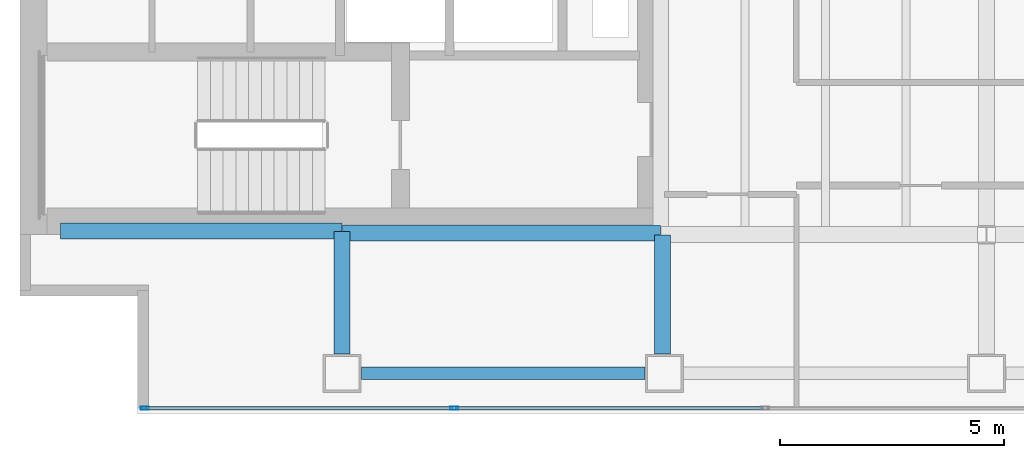
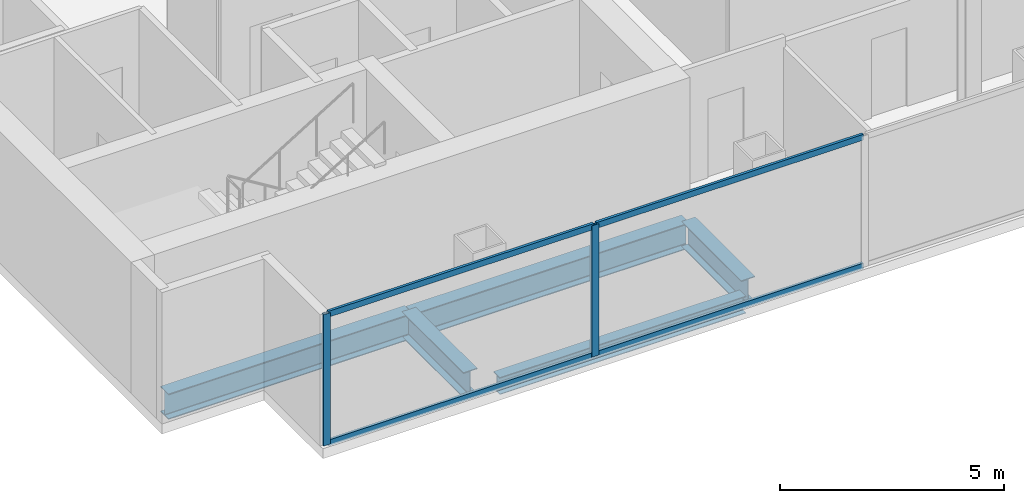
# One storey, part 2 of 23: 6 members, 5 beams, 1 element without a shape of its own.
"""IFC4 building model written with IfcOpenShell, lengths in metres."""

from ifc_helpers import new_model, si_unit, direction, frame, origin, origin_2d, place, context, subcontext, project, spatial, hollow_rectangle, i_section, extrude, material, material_profile, profile_set, type_object, element, aggregate, save


model = new_model("IFC4")

# Units and contexts
model_context = context("Model", 3, precision=1e-05, world=origin(), true_north=direction((0.0, 1.0)))
body_context = subcontext(model_context, "Body", "Model", "MODEL_VIEW")
ifc_project = project(units=[si_unit("LENGTHUNIT", "METRE"), si_unit("AREAUNIT", "SQUARE_METRE"), si_unit("VOLUMEUNIT", "CUBIC_METRE"), si_unit("PLANEANGLEUNIT", "RADIAN"), si_unit("MASSUNIT", "GRAM", prefix="KILO")], contexts=[model_context])

# Site, building, storey
site_placement = place(None, origin())
site = spatial("IfcSite", under=ifc_project, at=site_placement, CompositionType="ELEMENT")
building_placement = place(site_placement, origin())
building = spatial("IfcBuilding", under=site, at=building_placement, Name="Cobrela Telecom Tower", CompositionType="ELEMENT")
storey_placement = place(building_placement, frame((0.0, 0.0, 156.10009765625)))
storey = spatial("IfcBuildingStorey", under=building, at=storey_placement, Name="L39", CompositionType="ELEMENT", Elevation=156.10009765625)

# Beams
ifc_material_1 = material(Name="Steel ASTM A992 Grade 50", Category="steel")
ifc_material_profile_1 = material_profile(ifc_material_1, i_section(OverallWidth=0.35595703125, OverallDepth=0.696044921875, WebThickness=0.015380859375, FlangeThickness=0.024658203125, FilletRadius=0.01806640625, at=origin_2d()), Name="W27X146")
ifc_profile_set_1 = profile_set([ifc_material_profile_1], Name="Steel ASTM A992 Grade 50")
beam_type_1 = type_object("IfcBeamType", Name="BM-GIRD-05", PredefinedType="USERDEFINED", material=ifc_profile_set_1)
beam_1_placement = place(storey_placement, frame((0.905029296875, 7.280029296875, -0.6181640625), z_axis=(1.0, 0.0, 0.0), x_axis=(0.0, 1.0, 0.0)))
element("IfcBeam", 1, at=beam_1_placement, inside=storey, type_object=beam_type_1, Name="L39 Primary Girder X06", ObjectType="GIRDER", PredefinedType="USERDEFINED", context=body_context, shape_type="SweptSolid", body=[
    extrude(i_section(OverallWidth=0.35595703125, OverallDepth=0.696044921875, WebThickness=0.015380859375, FlangeThickness=0.024658203125, FilletRadius=0.01806640625, at=origin_2d()), origin(), (0.0, 0.0, 1.0), 6.2900390625),
])
beam_2_placement = place(storey_placement, frame((7.205078125, 7.239990234375, -0.6181640625), z_axis=(1.0, 0.0, 0.0), x_axis=(0.0, 1.0, 0.0)))
element("IfcBeam", 2, at=beam_2_placement, inside=storey, type_object=beam_type_1, Name="L39 Primary Girder X07", ObjectType="GIRDER", PredefinedType="USERDEFINED", context=body_context, shape_type="SweptSolid", body=[
    extrude(i_section(OverallWidth=0.35595703125, OverallDepth=0.696044921875, WebThickness=0.015380859375, FlangeThickness=0.024658203125, FilletRadius=0.01806640625, at=origin_2d()), origin(), (0.0, 0.0, 1.0), 7.10986328125),
])
beam_3_placement = place(storey_placement, frame((7.199951171875, 4.530029296875, -0.6181640625), z_axis=(0.0, 1.0, 0.0), x_axis=(-1.0, 0.0, 0.0)))
element("IfcBeam", 3, at=beam_3_placement, inside=storey, type_object=beam_type_1, Name="L39 Primary Girder Y27", ObjectType="GIRDER", PredefinedType="USERDEFINED", context=body_context, shape_type="SweptSolid", body=[
    extrude(i_section(OverallWidth=0.35595703125, OverallDepth=0.696044921875, WebThickness=0.015380859375, FlangeThickness=0.024658203125, FilletRadius=0.01806640625, at=origin_2d()), origin(), (0.0, 0.0, 1.0), 2.744873046875),
])
beam_4_placement = place(storey_placement, frame((14.360107421875, 4.530029296875, -0.6181640625), z_axis=(0.0, 1.0, 0.0), x_axis=(-1.0, 0.0, 0.0)))
element("IfcBeam", 4, at=beam_4_placement, inside=storey, type_object=beam_type_1, Name="L39 Primary Girder Y29", ObjectType="GIRDER", PredefinedType="USERDEFINED", context=body_context, shape_type="SweptSolid", body=[
    extrude(i_section(OverallWidth=0.35595703125, OverallDepth=0.696044921875, WebThickness=0.015380859375, FlangeThickness=0.024658203125, FilletRadius=0.01806640625, at=origin_2d()), origin(), (0.0, 0.0, 1.0), 2.6650390625),
])
ifc_material_profile_2 = material_profile(ifc_material_1, i_section(OverallWidth=0.281982421875, OverallDepth=0.467041015625, WebThickness=0.01220703125, FlangeThickness=0.01953125, FilletRadius=0.012939453125, at=origin_2d()), Name="W18X86")
ifc_profile_set_2 = profile_set([ifc_material_profile_2], Name="Steel ASTM A992 Grade 50")
beam_type_2 = type_object("IfcBeamType", Name="BM-SPAND-04", PredefinedType="SPANDREL", material=ifc_profile_set_2)
beam_5_placement = place(storey_placement, frame((7.6298828125, 4.10009765625, -0.503662109375), z_axis=(1.0, 0.0, 0.0), x_axis=(0.0, 1.0, 0.0)))
element("IfcBeam", 5, at=beam_5_placement, inside=storey, type_object=beam_type_2, Name="L39 Perimeter Spandrel X01", PredefinedType="SPANDREL", context=body_context, shape_type="SweptSolid", body=[
    extrude(i_section(OverallWidth=0.281982421875, OverallDepth=0.467041015625, WebThickness=0.01220703125, FlangeThickness=0.01953125, FilletRadius=0.012939453125, at=origin_2d()), origin(), (0.0, 0.0, 1.0), 6.340087890625),
])

# Curtain wall, members
ifc_material_2 = material(Name="Anodized Bronze Aluminium 6063-T6", Category="aluminium")
curtain_wall_type = type_object("IfcCurtainWallType", Name="CW-SYS-TEL", PredefinedType="USERDEFINED", material=ifc_material_2)
curtain_wall_placement = place(storey_placement, origin())
curtain_wall = element("IfcCurtainWall", 6, at=curtain_wall_placement, inside=storey, type_object=curtain_wall_type, Name="L39 Unitised Bronze Curtain Wall 17", ObjectType="UNITISED CURTAIN WALL", PredefinedType="USERDEFINED")
ifc_material_profile_3 = material_profile(ifc_material_2, hollow_rectangle(XDim=0.074951171875, YDim=0.179931640625, WallThickness=0.00390625, at=origin_2d()), Name="ALU 75x180x4")
ifc_profile_set_3 = profile_set([ifc_material_profile_3], Name="Anodized Bronze Aluminium 6063-T6")
member_type_1 = type_object("IfcMemberType", Name="CW-SYS-TEL-MUL", PredefinedType="MULLION", material=ifc_profile_set_3)
member_1_placement = place(storey_placement, frame((9.699951171875, 3.320068359375, 0.0), z_axis=(0.0, 0.0, 1.0), x_axis=(0.0, -1.0, 0.0)))
member_1 = element("IfcMember", 7, at=member_1_placement, type_object=member_type_1, Name="CW-TEL mullion 6", PredefinedType="MULLION", context=body_context, shape_type="SweptSolid", body=[
    extrude(hollow_rectangle(XDim=0.074951171875, YDim=0.179931640625, WallThickness=0.00390625, at=origin_2d()), origin(), (0.0, 0.0, 1.0), 3.579833984375),
])
member_2_placement = place(storey_placement, frame((2.78759765625, 3.320068359375, 0.0), z_axis=(0.0, 0.0, 1.0), x_axis=(0.0, -1.0, 0.0)))
member_2 = element("IfcMember", 8, at=member_2_placement, type_object=member_type_1, Name="CW-TEL mullion 7", PredefinedType="MULLION", context=body_context, shape_type="SweptSolid", body=[
    extrude(hollow_rectangle(XDim=0.074951171875, YDim=0.179931640625, WallThickness=0.00390625, at=origin_2d()), origin(), (0.0, 0.0, 1.0), 3.579833984375),
])
ifc_material_profile_4 = material_profile(ifc_material_2, hollow_rectangle(XDim=0.070068359375, YDim=0.159912109375, WallThickness=0.00390625, at=origin_2d()), Name="ALU 70x160x4")
ifc_profile_set_4 = profile_set([ifc_material_profile_4], Name="Anodized Bronze Aluminium 6063-T6")
member_type_2 = type_object("IfcMemberType", Name="CW-SYS-TEL-TRN", PredefinedType="USERDEFINED", material=ifc_profile_set_4)
member_3_placement = place(storey_placement, frame((16.612548828125, 3.320068359375, 0.034912109375), z_axis=(-1.0, 0.0, 0.0), x_axis=(0.0, -1.0, 0.0)))
member_3 = element("IfcMember", 9, at=member_3_placement, type_object=member_type_2, Name="CW-TEL transom 5.1", ObjectType="TRANSOM", PredefinedType="USERDEFINED", context=body_context, shape_type="SweptSolid", body=[
    extrude(hollow_rectangle(XDim=0.070068359375, YDim=0.159912109375, WallThickness=0.00390625, at=origin_2d()), origin(), (0.0, 0.0, 1.0), 6.875),
])
member_4_placement = place(storey_placement, frame((16.612548828125, 3.320068359375, 3.544921875), z_axis=(-1.0, 0.0, 0.0), x_axis=(0.0, -1.0, 0.0)))
member_4 = element("IfcMember", 10, at=member_4_placement, type_object=member_type_2, Name="CW-TEL transom 5.2", ObjectType="TRANSOM", PredefinedType="USERDEFINED", context=body_context, shape_type="SweptSolid", body=[
    extrude(hollow_rectangle(XDim=0.070068359375, YDim=0.159912109375, WallThickness=0.00390625, at=origin_2d()), origin(), (0.0, 0.0, 1.0), 6.875),
])
member_5_placement = place(storey_placement, frame((9.66259765625, 3.320068359375, 0.034912109375), z_axis=(-1.0, 0.0, 0.0), x_axis=(0.0, -1.0, 0.0)))
member_5 = element("IfcMember", 11, at=member_5_placement, type_object=member_type_2, Name="CW-TEL transom 6.1", ObjectType="TRANSOM", PredefinedType="USERDEFINED", context=body_context, shape_type="SweptSolid", body=[
    extrude(hollow_rectangle(XDim=0.070068359375, YDim=0.159912109375, WallThickness=0.00390625, at=origin_2d()), origin(), (0.0, 0.0, 1.0), 6.837646484375),
])
member_6_placement = place(storey_placement, frame((9.66259765625, 3.320068359375, 3.544921875), z_axis=(-1.0, 0.0, 0.0), x_axis=(0.0, -1.0, 0.0)))
member_6 = element("IfcMember", 12, at=member_6_placement, type_object=member_type_2, Name="CW-TEL transom 6.2", ObjectType="TRANSOM", PredefinedType="USERDEFINED", context=body_context, shape_type="SweptSolid", body=[
    extrude(hollow_rectangle(XDim=0.070068359375, YDim=0.159912109375, WallThickness=0.00390625, at=origin_2d()), origin(), (0.0, 0.0, 1.0), 6.837646484375),
])
aggregate(curtain_wall, [member_1, member_2, member_3, member_4, member_5, member_6])

save(model, "model.ifc")
